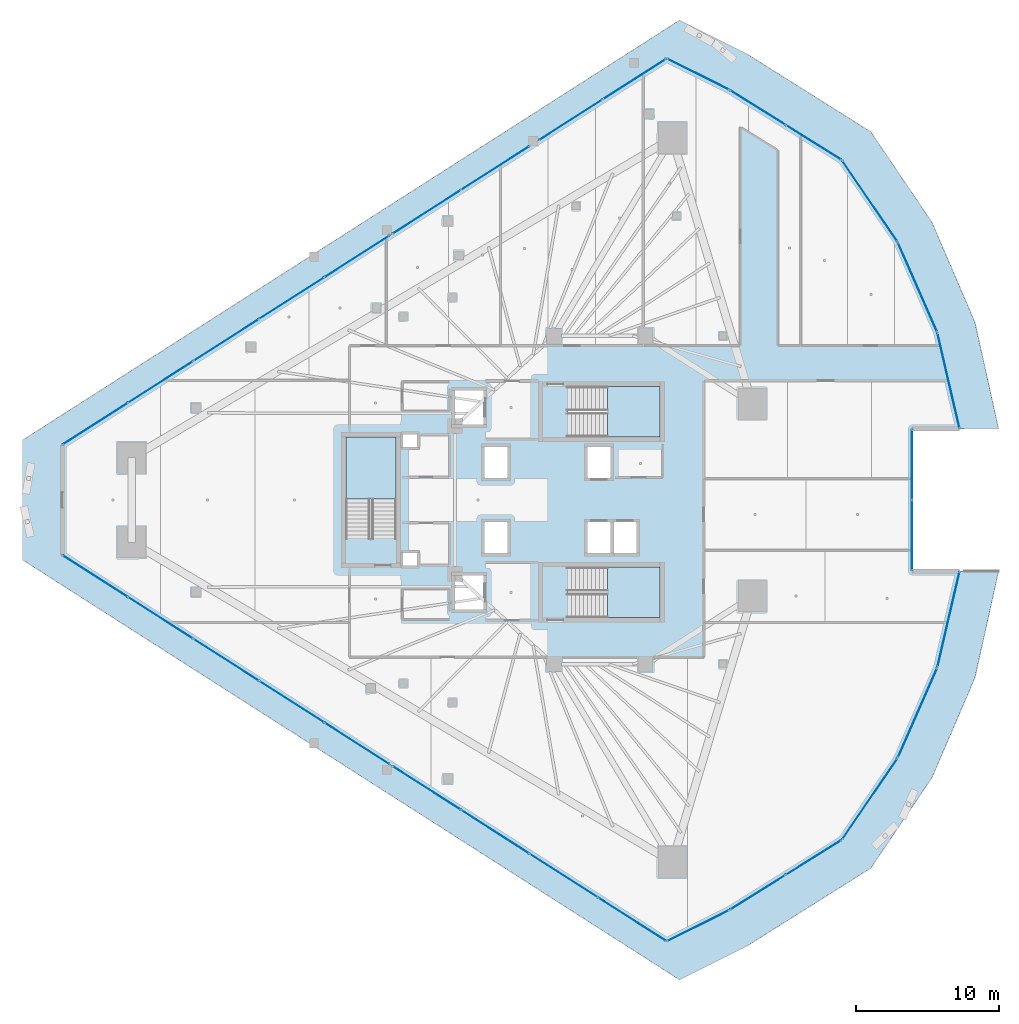
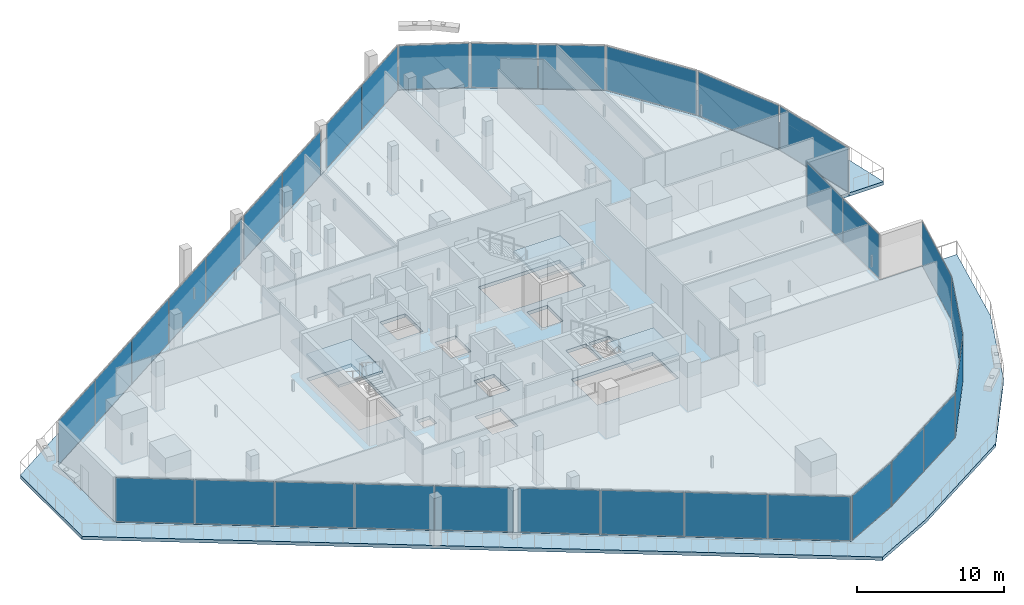
# One storey, part 26 of 42: 32 plates, 5 slabs, 19 elements without a shape of their own.
"""IFC4 building model written with IfcOpenShell, lengths in metres."""

from ifc_helpers import new_model, si_unit, direction, frame, origin, origin_2d, place, context, subcontext, project, spatial, polyline, rectangle, outline, extrude, material, layer, layer_set, type_object, element, aggregate, save


model = new_model("IFC4")

# Units and contexts
model_context = context("Model", 3, precision=1e-05, world=origin(), true_north=direction((0.0, 1.0)))
body_context = subcontext(model_context, "Body", "Model", "MODEL_VIEW")
ifc_project = project(units=[si_unit("LENGTHUNIT", "METRE"), si_unit("AREAUNIT", "SQUARE_METRE"), si_unit("VOLUMEUNIT", "CUBIC_METRE"), si_unit("PLANEANGLEUNIT", "RADIAN"), si_unit("MASSUNIT", "GRAM", prefix="KILO")], contexts=[model_context])

# Site, building, storey
site_placement = place(None, origin())
site = spatial("IfcSite", under=ifc_project, at=site_placement, CompositionType="ELEMENT")
building_placement = place(site_placement, origin())
building = spatial("IfcBuilding", under=site, at=building_placement, Name="Qorvath Tower", CompositionType="ELEMENT")
storey_placement = place(building_placement, frame((0.0, 0.0, 121.949951171875)))
storey = spatial("IfcBuildingStorey", under=building, at=storey_placement, Name="L27", CompositionType="ELEMENT", Elevation=121.949951171875)

# Curtain wall, plates
ifc_material_1 = material(Name="Anodised aluminium and triple low-E glass", Category="aluminium")
ifc_layer_1 = layer(ifc_material_1, 0.179931640625)
ifc_layer_set_1 = layer_set([ifc_layer_1], Name="CW-SYS-2")
curtain_wall_type = type_object("IfcCurtainWallType", Name="CW-SYS-2", PredefinedType="NOTDEFINED", material=ifc_layer_set_1)
curtain_wall_1_placement = place(storey_placement, origin())
curtain_wall_1 = element("IfcCurtainWall", 1, at=curtain_wall_1_placement, inside=storey, type_object=curtain_wall_type, Name="Curtain Wall CW-2 CW-T-L27-2.1", PredefinedType="NOTDEFINED")
ifc_material_2 = material(Name="Low-E triple insulated glass", Category="glass")
ifc_layer_2 = layer(ifc_material_2, 0.031982421875)
ifc_layer_set_2 = layer_set([ifc_layer_2], Name="CWP-GLZ-32")
plate_type = type_object("IfcPlateType", Name="CWP-GLZ-32", PredefinedType="CURTAIN_PANEL", material=ifc_layer_set_2)
plate_1_placement = place(storey_placement, frame((-55.589599609375, -5.318359375, 0.06494140625), z_axis=(0.0, 0.0, 1.0), x_axis=(0.842603667285, -0.538534177075, 0.0)))
plate_1 = element("IfcPlate", 2, at=plate_1_placement, type_object=plate_type, Name="CW-2 panel 1.1", PredefinedType="CURTAIN_PANEL", context=body_context, shape_type="SweptSolid", body=[
    extrude(rectangle(XDim=5.32861328125, YDim=0.031982421875, at=origin_2d()), origin(), (0.0, 0.0, 1.0), 3.639892578125),
])
plate_2_placement = place(storey_placement, frame((-51.03125, -8.231689453125, 0.06494140625), z_axis=(0.0, 0.0, 1.0), x_axis=(0.842603667285, -0.538534177075, 0.0)))
plate_2 = element("IfcPlate", 3, at=plate_2_placement, type_object=plate_type, Name="CW-2 panel 2.1", PredefinedType="CURTAIN_PANEL", context=body_context, shape_type="SweptSolid", body=[
    extrude(rectangle(XDim=5.361083984375, YDim=0.031982421875, at=origin_2d()), origin(), (0.0, 0.0, 1.0), 3.639892578125),
])
plate_3_placement = place(storey_placement, frame((-46.459228515625, -11.15380859375, 0.06494140625), z_axis=(0.0, 0.0, 1.0), x_axis=(0.842603667285, -0.538534177075, 0.0)))
plate_3 = element("IfcPlate", 4, at=plate_3_placement, type_object=plate_type, Name="CW-2 panel 3.1", PredefinedType="CURTAIN_PANEL", context=body_context, shape_type="SweptSolid", body=[
    extrude(rectangle(XDim=5.361083984375, YDim=0.031982421875, at=origin_2d()), origin(), (0.0, 0.0, 1.0), 3.639892578125),
])
plate_4_placement = place(storey_placement, frame((-41.88720703125, -14.075927734375, 0.06494140625), z_axis=(0.0, 0.0, 1.0), x_axis=(0.842603667285, -0.538534177075, 0.0)))
plate_4 = element("IfcPlate", 5, at=plate_4_placement, type_object=plate_type, Name="CW-2 panel 4.1", PredefinedType="CURTAIN_PANEL", context=body_context, shape_type="SweptSolid", body=[
    extrude(rectangle(XDim=5.361083984375, YDim=0.031982421875, at=origin_2d()), origin(), (0.0, 0.0, 1.0), 3.639892578125),
])
plate_5_placement = place(storey_placement, frame((-37.328857421875, -16.989501953125, 0.06494140625), z_axis=(0.0, 0.0, 1.0), x_axis=(0.842603667285, -0.538534177075, 0.0)))
plate_5 = element("IfcPlate", 6, at=plate_5_placement, type_object=plate_type, Name="CW-2 panel 5.1", PredefinedType="CURTAIN_PANEL", context=body_context, shape_type="SweptSolid", body=[
    extrude(rectangle(XDim=5.32861328125, YDim=0.031982421875, at=origin_2d()), origin(), (0.0, 0.0, 1.0), 3.639892578125),
])
aggregate(curtain_wall_1, [plate_1, plate_2, plate_3, plate_4, plate_5])

curtain_wall_2_placement = place(storey_placement, origin())
curtain_wall_2 = element("IfcCurtainWall", 7, at=curtain_wall_2_placement, inside=storey, type_object=curtain_wall_type, Name="Curtain Wall CW-2 CW-T-L27-2.2", PredefinedType="NOTDEFINED")
plate_6_placement = place(storey_placement, frame((-32.474853515625, -20.091796875, 0.06494140625), z_axis=(0.0, 0.0, 1.0), x_axis=(0.84260239638, -0.538536165559, 0.0)))
plate_6 = element("IfcPlate", 8, at=plate_6_placement, type_object=plate_type, Name="CW-2 panel 1.1", PredefinedType="CURTAIN_PANEL", context=body_context, shape_type="SweptSolid", body=[
    extrude(rectangle(XDim=5.582763671875, YDim=0.031982421875, at=origin_2d()), origin(), (0.0, 0.0, 1.0), 3.639892578125),
])
plate_7_placement = place(storey_placement, frame((-27.702392578125, -23.14208984375, 0.06494140625), z_axis=(0.0, 0.0, 1.0), x_axis=(0.84260239638, -0.538536165559, 0.0)))
plate_7 = element("IfcPlate", 9, at=plate_7_placement, type_object=plate_type, Name="CW-2 panel 2.1", PredefinedType="CURTAIN_PANEL", context=body_context, shape_type="SweptSolid", body=[
    extrude(rectangle(XDim=5.615234375, YDim=0.031982421875, at=origin_2d()), origin(), (0.0, 0.0, 1.0), 3.639892578125),
])
plate_8_placement = place(storey_placement, frame((-22.916015625, -26.201171875, 0.06494140625), z_axis=(0.0, 0.0, 1.0), x_axis=(0.84260239638, -0.538536165559, 0.0)))
plate_8 = element("IfcPlate", 10, at=plate_8_placement, type_object=plate_type, Name="CW-2 panel 3.1", PredefinedType="CURTAIN_PANEL", context=body_context, shape_type="SweptSolid", body=[
    extrude(rectangle(XDim=5.615234375, YDim=0.031982421875, at=origin_2d()), origin(), (0.0, 0.0, 1.0), 3.639892578125),
])
plate_9_placement = place(storey_placement, frame((-18.1435546875, -29.251220703125, 0.06494140625), z_axis=(0.0, 0.0, 1.0), x_axis=(0.84260239638, -0.538536165559, 0.0)))
plate_9 = element("IfcPlate", 11, at=plate_9_placement, type_object=plate_type, Name="CW-2 panel 4.1", PredefinedType="CURTAIN_PANEL", context=body_context, shape_type="SweptSolid", body=[
    extrude(rectangle(XDim=5.582763671875, YDim=0.031982421875, at=origin_2d()), origin(), (0.0, 0.0, 1.0), 3.639892578125),
])
aggregate(curtain_wall_2, [plate_6, plate_7, plate_8, plate_9])

# Curtain wall, plate
curtain_wall_3_placement = place(storey_placement, origin())
curtain_wall_3 = element("IfcCurtainWall", 12, at=curtain_wall_3_placement, inside=storey, type_object=curtain_wall_type, Name="Curtain Wall CW-2 CW-T-L27-3.1", PredefinedType="NOTDEFINED")
plate_10_placement = place(storey_placement, frame((-13.53759765625, -29.68994140625, 0.06494140625), z_axis=(0.0, 0.0, 1.0), x_axis=(0.894402787992, 0.447262398188, 0.0)))
plate_10 = element("IfcPlate", 13, at=plate_10_placement, type_object=plate_type, Name="CW-2 panel 1.1", PredefinedType="CURTAIN_PANEL", context=body_context, shape_type="SweptSolid", body=[
    extrude(rectangle(XDim=4.78759765625, YDim=0.031982421875, at=origin_2d()), origin(), (0.0, 0.0, 1.0), 3.639892578125),
])
aggregate(curtain_wall_3, [plate_10])

# Curtain wall, plates
curtain_wall_4_placement = place(storey_placement, origin())
curtain_wall_4 = element("IfcCurtainWall", 14, at=curtain_wall_4_placement, inside=storey, type_object=curtain_wall_type, Name="Curtain Wall CW-2 CW-T-L27-4.1", PredefinedType="NOTDEFINED")
plate_11_placement = place(storey_placement, frame((-9.370361328125, -27.361572265625, 0.06494140625), z_axis=(0.0, 0.0, 1.0), x_axis=(0.84830786263, 0.529503324069, 0.0)))
plate_11 = element("IfcPlate", 15, at=plate_11_placement, type_object=plate_type, Name="CW-2 panel 1.1", PredefinedType="CURTAIN_PANEL", context=body_context, shape_type="SweptSolid", body=[
    extrude(rectangle(XDim=4.510009765625, YDim=0.031982421875, at=origin_2d()), origin(), (0.0, 0.0, 1.0), 3.639892578125),
])
plate_12_placement = place(storey_placement, frame((-5.4892578125, -24.939208984375, 0.06494140625), z_axis=(0.0, 0.0, 1.0), x_axis=(0.84830786263, 0.529503324069, 0.0)))
plate_12 = element("IfcPlate", 16, at=plate_12_placement, type_object=plate_type, Name="CW-2 panel 2.1", PredefinedType="CURTAIN_PANEL", context=body_context, shape_type="SweptSolid", body=[
    extrude(rectangle(XDim=4.510009765625, YDim=0.031982421875, at=origin_2d()), origin(), (0.0, 0.0, 1.0), 3.639892578125),
])
aggregate(curtain_wall_4, [plate_11, plate_12])

# Curtain wall, plate
curtain_wall_5_placement = place(storey_placement, origin())
curtain_wall_5 = element("IfcCurtainWall", 17, at=curtain_wall_5_placement, inside=storey, type_object=curtain_wall_type, Name="Curtain Wall CW-2 CW-T-L27-5.1", PredefinedType="NOTDEFINED")
plate_13_placement = place(storey_placement, frame((-1.574462890625, -20.861572265625, 0.06494140625), z_axis=(0.0, 0.0, 1.0), x_axis=(0.564163835208, 0.825662865244, 0.0)))
plate_13 = element("IfcPlate", 18, at=plate_13_placement, type_object=plate_type, Name="CW-2 panel 1.1", PredefinedType="CURTAIN_PANEL", context=body_context, shape_type="SweptSolid", body=[
    extrude(rectangle(XDim=6.771484375, YDim=0.031982421875, at=origin_2d()), origin(), (0.0, 0.0, 1.0), 3.639892578125),
])
aggregate(curtain_wall_5, [plate_13])

curtain_wall_6_placement = place(storey_placement, origin())
curtain_wall_6 = element("IfcCurtainWall", 19, at=curtain_wall_6_placement, inside=storey, type_object=curtain_wall_type, Name="Curtain Wall CW-2 CW-T-L27-6.1", PredefinedType="NOTDEFINED")
plate_14_placement = place(storey_placement, frame((1.75830078125, -14.852294921875, 0.06494140625), z_axis=(0.0, 0.0, 1.0), x_axis=(0.401648703602, 0.915793818987, 0.0)))
plate_14 = element("IfcPlate", 20, at=plate_14_placement, type_object=plate_type, Name="CW-2 panel 1.1", PredefinedType="CURTAIN_PANEL", context=body_context, shape_type="SweptSolid", body=[
    extrude(rectangle(XDim=6.771484375, YDim=0.031982421875, at=origin_2d()), origin(), (0.0, 0.0, 1.0), 3.639892578125),
])
aggregate(curtain_wall_6, [plate_14])

curtain_wall_7_placement = place(storey_placement, origin())
curtain_wall_7 = element("IfcCurtainWall", 21, at=curtain_wall_7_placement, inside=storey, type_object=curtain_wall_type, Name="Curtain Wall CW-2 CW-T-L27-7.1", PredefinedType="NOTDEFINED")
plate_15_placement = place(storey_placement, frame((3.921630859375, -8.330078125, 0.06494140625), z_axis=(0.0, 0.0, 1.0), x_axis=(0.225270080166, 0.974296356855, 0.0)))
plate_15 = element("IfcPlate", 22, at=plate_15_placement, type_object=plate_type, Name="CW-2 panel 1.1", PredefinedType="CURTAIN_PANEL", context=body_context, shape_type="SweptSolid", body=[
    extrude(rectangle(XDim=6.771484375, YDim=0.031982421875, at=origin_2d()), origin(), (0.0, 0.0, 1.0), 3.639892578125),
])
aggregate(curtain_wall_7, [plate_15])

# Curtain wall, plates
curtain_wall_8_placement = place(storey_placement, origin())
curtain_wall_8 = element("IfcCurtainWall", 23, at=curtain_wall_8_placement, inside=storey, type_object=curtain_wall_type, Name="Curtain Wall CW-2 CW-T-L27-9.1", PredefinedType="NOTDEFINED")
plate_16_placement = place(storey_placement, frame((1.386962890625, -2.4677734375, 0.06494140625), z_axis=(0.0, 0.0, 1.0), x_axis=(0.0, 1.0, 0.0)))
plate_16 = element("IfcPlate", 24, at=plate_16_placement, type_object=plate_type, Name="CW-2 panel 1.1", PredefinedType="CURTAIN_PANEL", context=body_context, shape_type="SweptSolid", body=[
    extrude(rectangle(XDim=4.87060546875, YDim=0.031982421875, at=origin_2d()), origin(), (0.0, 0.0, 1.0), 3.639892578125),
])
plate_17_placement = place(storey_placement, frame((1.386962890625, 2.4677734375, 0.06494140625), z_axis=(0.0, 0.0, 1.0), x_axis=(0.0, 1.0, 0.0)))
plate_17 = element("IfcPlate", 25, at=plate_17_placement, type_object=plate_type, Name="CW-2 panel 2.1", PredefinedType="CURTAIN_PANEL", context=body_context, shape_type="SweptSolid", body=[
    extrude(rectangle(XDim=4.87060546875, YDim=0.031982421875, at=origin_2d()), origin(), (0.0, 0.0, 1.0), 3.639892578125),
])
aggregate(curtain_wall_8, [plate_16, plate_17])

# Curtain wall, plate
curtain_wall_9_placement = place(storey_placement, origin())
curtain_wall_9 = element("IfcCurtainWall", 26, at=curtain_wall_9_placement, inside=storey, type_object=curtain_wall_type, Name="Curtain Wall CW-2 CW-T-L27-11.1", PredefinedType="NOTDEFINED")
plate_18_placement = place(storey_placement, frame((3.921630859375, 8.330078125, 0.06494140625), z_axis=(0.0, 0.0, 1.0), x_axis=(-0.225270080166, 0.974296356855, 0.0)))
plate_18 = element("IfcPlate", 27, at=plate_18_placement, type_object=plate_type, Name="CW-2 panel 1.1", PredefinedType="CURTAIN_PANEL", context=body_context, shape_type="SweptSolid", body=[
    extrude(rectangle(XDim=6.771484375, YDim=0.031982421875, at=origin_2d()), origin(), (0.0, 0.0, 1.0), 3.639892578125),
])
aggregate(curtain_wall_9, [plate_18])

curtain_wall_10_placement = place(storey_placement, origin())
curtain_wall_10 = element("IfcCurtainWall", 28, at=curtain_wall_10_placement, inside=storey, type_object=curtain_wall_type, Name="Curtain Wall CW-2 CW-T-L27-12.1", PredefinedType="NOTDEFINED")
plate_19_placement = place(storey_placement, frame((1.75830078125, 14.852294921875, 0.06494140625), z_axis=(0.0, 0.0, 1.0), x_axis=(-0.401648703602, 0.915793818987, 0.0)))
plate_19 = element("IfcPlate", 29, at=plate_19_placement, type_object=plate_type, Name="CW-2 panel 1.1", PredefinedType="CURTAIN_PANEL", context=body_context, shape_type="SweptSolid", body=[
    extrude(rectangle(XDim=6.771484375, YDim=0.031982421875, at=origin_2d()), origin(), (0.0, 0.0, 1.0), 3.639892578125),
])
aggregate(curtain_wall_10, [plate_19])

curtain_wall_11_placement = place(storey_placement, origin())
curtain_wall_11 = element("IfcCurtainWall", 30, at=curtain_wall_11_placement, inside=storey, type_object=curtain_wall_type, Name="Curtain Wall CW-2 CW-T-L27-13.1", PredefinedType="NOTDEFINED")
plate_20_placement = place(storey_placement, frame((-1.574462890625, 20.861572265625, 0.06494140625), z_axis=(0.0, 0.0, 1.0), x_axis=(-0.564163835208, 0.825662865244, 0.0)))
plate_20 = element("IfcPlate", 31, at=plate_20_placement, type_object=plate_type, Name="CW-2 panel 1.1", PredefinedType="CURTAIN_PANEL", context=body_context, shape_type="SweptSolid", body=[
    extrude(rectangle(XDim=6.771484375, YDim=0.031982421875, at=origin_2d()), origin(), (0.0, 0.0, 1.0), 3.639892578125),
])
aggregate(curtain_wall_11, [plate_20])

# Curtain wall, plates
curtain_wall_12_placement = place(storey_placement, origin())
curtain_wall_12 = element("IfcCurtainWall", 32, at=curtain_wall_12_placement, inside=storey, type_object=curtain_wall_type, Name="Curtain Wall CW-2 CW-T-L27-14.1", PredefinedType="NOTDEFINED")
plate_21_placement = place(storey_placement, frame((-5.4892578125, 24.939208984375, 0.06494140625), z_axis=(0.0, 0.0, 1.0), x_axis=(-0.84830786263, 0.529503324069, 0.0)))
plate_21 = element("IfcPlate", 33, at=plate_21_placement, type_object=plate_type, Name="CW-2 panel 1.1", PredefinedType="CURTAIN_PANEL", context=body_context, shape_type="SweptSolid", body=[
    extrude(rectangle(XDim=4.510009765625, YDim=0.031982421875, at=origin_2d()), origin(), (0.0, 0.0, 1.0), 3.639892578125),
])
plate_22_placement = place(storey_placement, frame((-9.370361328125, 27.361572265625, 0.06494140625), z_axis=(0.0, 0.0, 1.0), x_axis=(-0.84830786263, 0.529503324069, 0.0)))
plate_22 = element("IfcPlate", 34, at=plate_22_placement, type_object=plate_type, Name="CW-2 panel 2.1", PredefinedType="CURTAIN_PANEL", context=body_context, shape_type="SweptSolid", body=[
    extrude(rectangle(XDim=4.510009765625, YDim=0.031982421875, at=origin_2d()), origin(), (0.0, 0.0, 1.0), 3.639892578125),
])
aggregate(curtain_wall_12, [plate_21, plate_22])

# Curtain wall, plate
curtain_wall_13_placement = place(storey_placement, origin())
curtain_wall_13 = element("IfcCurtainWall", 35, at=curtain_wall_13_placement, inside=storey, type_object=curtain_wall_type, Name="Curtain Wall CW-2 CW-T-L27-15.1", PredefinedType="NOTDEFINED")
plate_23_placement = place(storey_placement, frame((-13.53759765625, 29.68994140625, 0.06494140625), z_axis=(0.0, 0.0, 1.0), x_axis=(-0.894402787992, 0.447262398188, 0.0)))
plate_23 = element("IfcPlate", 36, at=plate_23_placement, type_object=plate_type, Name="CW-2 panel 1.1", PredefinedType="CURTAIN_PANEL", context=body_context, shape_type="SweptSolid", body=[
    extrude(rectangle(XDim=4.78759765625, YDim=0.031982421875, at=origin_2d()), origin(), (0.0, 0.0, 1.0), 3.639892578125),
])
aggregate(curtain_wall_13, [plate_23])

# Curtain wall, plates
curtain_wall_14_placement = place(storey_placement, origin())
curtain_wall_14 = element("IfcCurtainWall", 37, at=curtain_wall_14_placement, inside=storey, type_object=curtain_wall_type, Name="Curtain Wall CW-2 CW-T-L27-16.1", PredefinedType="NOTDEFINED")
plate_24_placement = place(storey_placement, frame((-17.983154296875, 29.353759765625, 0.06494140625), z_axis=(0.0, 0.0, 1.0), x_axis=(-0.842594581481, -0.538548392681, 0.0)))
plate_24 = element("IfcPlate", 38, at=plate_24_placement, type_object=plate_type, Name="CW-2 panel 1.1", PredefinedType="CURTAIN_PANEL", context=body_context, shape_type="SweptSolid", body=[
    extrude(rectangle(XDim=5.201904296875, YDim=0.031982421875, at=origin_2d()), origin(), (0.0, 0.0, 1.0), 3.639892578125),
])
plate_25_placement = place(storey_placement, frame((-22.421142578125, 26.517333984375, 0.06494140625), z_axis=(0.0, 0.0, 1.0), x_axis=(-0.842594581481, -0.538548392681, 0.0)))
plate_25 = element("IfcPlate", 39, at=plate_25_placement, type_object=plate_type, Name="CW-2 panel 2.1", PredefinedType="CURTAIN_PANEL", context=body_context, shape_type="SweptSolid", body=[
    extrude(rectangle(XDim=5.201904296875, YDim=0.031982421875, at=origin_2d()), origin(), (0.0, 0.0, 1.0), 3.639892578125),
])
aggregate(curtain_wall_14, [plate_24, plate_25])

curtain_wall_15_placement = place(storey_placement, origin())
curtain_wall_15 = element("IfcCurtainWall", 40, at=curtain_wall_15_placement, inside=storey, type_object=curtain_wall_type, Name="Curtain Wall CW-2 CW-T-L27-16.2", PredefinedType="NOTDEFINED")
plate_26_placement = place(storey_placement, frame((-27.69580078125, 23.146240234375, 0.06494140625), z_axis=(0.0, 0.0, 1.0), x_axis=(-0.842606643442, -0.538529520478, 0.0)))
plate_26 = element("IfcPlate", 41, at=plate_26_placement, type_object=plate_type, Name="CW-2 panel 1.1", PredefinedType="CURTAIN_PANEL", context=body_context, shape_type="SweptSolid", body=[
    extrude(rectangle(XDim=5.5986328125, YDim=0.031982421875, at=origin_2d()), origin(), (0.0, 0.0, 1.0), 3.639892578125),
])
plate_27_placement = place(storey_placement, frame((-32.468017578125, 20.095947265625, 0.06494140625), z_axis=(0.0, 0.0, 1.0), x_axis=(-0.842606643442, -0.538529520478, 0.0)))
plate_27 = element("IfcPlate", 42, at=plate_27_placement, type_object=plate_type, Name="CW-2 panel 2.1", PredefinedType="CURTAIN_PANEL", context=body_context, shape_type="SweptSolid", body=[
    extrude(rectangle(XDim=5.5986328125, YDim=0.031982421875, at=origin_2d()), origin(), (0.0, 0.0, 1.0), 3.639892578125),
])
aggregate(curtain_wall_15, [plate_26, plate_27])

curtain_wall_16_placement = place(storey_placement, origin())
curtain_wall_16 = element("IfcCurtainWall", 43, at=curtain_wall_16_placement, inside=storey, type_object=curtain_wall_type, Name="Curtain Wall CW-2 CW-T-L27-16.3", PredefinedType="NOTDEFINED")
plate_28_placement = place(storey_placement, frame((-37.328857421875, 16.989501953125, 0.06494140625), z_axis=(0.0, 0.0, 1.0), x_axis=(-0.842603667285, -0.538534177075, 0.0)))
plate_28 = element("IfcPlate", 44, at=plate_28_placement, type_object=plate_type, Name="CW-2 panel 1.1", PredefinedType="CURTAIN_PANEL", context=body_context, shape_type="SweptSolid", body=[
    extrude(rectangle(XDim=5.32861328125, YDim=0.031982421875, at=origin_2d()), origin(), (0.0, 0.0, 1.0), 3.639892578125),
])
plate_29_placement = place(storey_placement, frame((-41.88720703125, 14.075927734375, 0.06494140625), z_axis=(0.0, 0.0, 1.0), x_axis=(-0.842603667285, -0.538534177075, 0.0)))
plate_29 = element("IfcPlate", 45, at=plate_29_placement, type_object=plate_type, Name="CW-2 panel 2.1", PredefinedType="CURTAIN_PANEL", context=body_context, shape_type="SweptSolid", body=[
    extrude(rectangle(XDim=5.361083984375, YDim=0.031982421875, at=origin_2d()), origin(), (0.0, 0.0, 1.0), 3.639892578125),
])
plate_30_placement = place(storey_placement, frame((-46.459228515625, 11.15380859375, 0.06494140625), z_axis=(0.0, 0.0, 1.0), x_axis=(-0.842603667285, -0.538534177075, 0.0)))
plate_30 = element("IfcPlate", 46, at=plate_30_placement, type_object=plate_type, Name="CW-2 panel 3.1", PredefinedType="CURTAIN_PANEL", context=body_context, shape_type="SweptSolid", body=[
    extrude(rectangle(XDim=5.361083984375, YDim=0.031982421875, at=origin_2d()), origin(), (0.0, 0.0, 1.0), 3.639892578125),
])
plate_31_placement = place(storey_placement, frame((-51.03125, 8.231689453125, 0.06494140625), z_axis=(0.0, 0.0, 1.0), x_axis=(-0.842603667285, -0.538534177075, 0.0)))
plate_31 = element("IfcPlate", 47, at=plate_31_placement, type_object=plate_type, Name="CW-2 panel 4.1", PredefinedType="CURTAIN_PANEL", context=body_context, shape_type="SweptSolid", body=[
    extrude(rectangle(XDim=5.361083984375, YDim=0.031982421875, at=origin_2d()), origin(), (0.0, 0.0, 1.0), 3.639892578125),
])
plate_32_placement = place(storey_placement, frame((-55.589599609375, 5.318359375, 0.06494140625), z_axis=(0.0, 0.0, 1.0), x_axis=(-0.842603667285, -0.538534177075, 0.0)))
plate_32 = element("IfcPlate", 48, at=plate_32_placement, type_object=plate_type, Name="CW-2 panel 5.1", PredefinedType="CURTAIN_PANEL", context=body_context, shape_type="SweptSolid", body=[
    extrude(rectangle(XDim=5.32861328125, YDim=0.031982421875, at=origin_2d()), origin(), (0.0, 0.0, 1.0), 3.639892578125),
])
aggregate(curtain_wall_16, [plate_28, plate_29, plate_30, plate_31, plate_32])

# Stair, slab
ifc_material_3 = material(Name="Concrete C50/60", Category="concrete")
stair_type = type_object("IfcStairType", Name="ST-H405", PredefinedType="HALF_TURN_STAIR", material=ifc_material_3)
stair_1_placement = place(storey_placement, origin())
stair_1 = element("IfcStair", 49, at=stair_1_placement, inside=storey, type_object=stair_type, Name="L27 Tower Exit Stair 1", PredefinedType="HALF_TURN_STAIR")
ifc_material_4 = material(Name="Concrete C50/60", Category="concrete")
ifc_layer_3 = layer(ifc_material_4, 0.199951171875)
ifc_layer_set_3 = layer_set([ifc_layer_3], Name="SL-LND-200")
slab_type_1 = type_object("IfcSlabType", Name="SL-LND-200", PredefinedType="LANDING", material=ifc_layer_set_3)
slab_1_placement = place(storey_placement, frame((0.0, 0.0, 1.824951171875)))
slab_1 = element("IfcSlab", 50, at=slab_1_placement, type_object=slab_type_1, Name="TS1 landing 1", PredefinedType="LANDING", context=body_context, shape_type="SweptSolid", body=[
    extrude(outline(polyline([(-19.8701171875, 4.39990234375), (-16.199951171875, 4.39990234375), (-16.199951171875, 7.909912109375), (-19.8701171875, 7.909912109375), (-19.8701171875, 4.39990234375)])), origin(), (0.0, 0.0, 1.0), 0.2001953125),
])
aggregate(stair_1, [slab_1])

stair_2_placement = place(storey_placement, origin())
stair_2 = element("IfcStair", 51, at=stair_2_placement, inside=storey, type_object=stair_type, Name="L27 Tower Exit Stair 2", PredefinedType="HALF_TURN_STAIR")
slab_2_placement = place(storey_placement, frame((0.0, 0.0, 1.824951171875)))
slab_2 = element("IfcSlab", 52, at=slab_2_placement, type_object=slab_type_1, Name="TS2 landing 1", PredefinedType="LANDING", context=body_context, shape_type="SweptSolid", body=[
    extrude(outline(polyline([(-19.8701171875, -8.199951171875), (-16.199951171875, -8.199951171875), (-16.199951171875, -4.68994140625), (-19.8701171875, -4.68994140625), (-19.8701171875, -8.199951171875)])), origin(), (0.0, 0.0, 1.0), 0.2001953125),
])
aggregate(stair_2, [slab_2])

stair_3_placement = place(storey_placement, origin())
stair_3 = element("IfcStair", 53, at=stair_3_placement, inside=storey, type_object=stair_type, Name="L27 Tower Exit Stair 3", PredefinedType="HALF_TURN_STAIR")
slab_3_placement = place(storey_placement, frame((0.0, 0.0, 1.824951171875)))
slab_3 = element("IfcSlab", 54, at=slab_3_placement, type_object=slab_type_1, Name="TS3 landing 1", PredefinedType="LANDING", context=body_context, shape_type="SweptSolid", body=[
    extrude(outline(polyline([(-34.60009765625, 0.080078125), (-34.60009765625, 4.39990234375), (-38.110107421875, 4.39990234375), (-38.110107421875, 0.080078125), (-34.60009765625, 0.080078125)])), origin(), (0.0, 0.0, 1.0), 0.2001953125),
])
aggregate(stair_3, [slab_3])

# Slabs
ifc_material_5 = material(Name="Precast concrete C45/55", Category="concrete")
ifc_layer_4 = layer(ifc_material_5, 0.280029296875)
ifc_layer_set_4 = layer_set([ifc_layer_4], Name="SL-LOG-280")
slab_type_2 = type_object("IfcSlabType", Name="SL-LOG-280", PredefinedType="FLOOR", material=ifc_layer_set_4)
slab_4_placement = place(storey_placement, frame((0.0, 0.0, -0.280029296875)))
element("IfcSlab", 55, at=slab_4_placement, inside=storey, type_object=slab_type_2, Name="Tower L27 Perimeter Loggia and Terrace Slab", PredefinedType="FLOOR", context=body_context, shape_type="SweptSolid", body=[
    extrude(outline(polyline([(4.698974609375, -4.968017578125), (3.144287109375, -11.692138671875), (0.372314453125, -18.012451171875), (-3.521240234375, -23.710693359375), (-11.33837890625, -28.590087890625), (-15.73681640625, -30.78955078125), (-57.88916015625, -3.8486328125), (-57.88916015625, 3.8486328125), (-15.73681640625, 30.78955078125), (-11.33837890625, 28.590087890625), (-3.521240234375, 23.710693359375), (0.372314453125, 18.012451171875), (3.144287109375, 11.692138671875), (4.698974609375, 4.968017578125), (7.4150390625, 4.968017578125), (5.77099609375, 12.39599609375), (2.762451171875, 19.38330078125), (-1.504150390625, 25.681884765625), (-10.06787109375, 31.06787109375), (-14.847412109375, 33.457763671875), (-60.652587890625, 4.18212890625), (-60.652587890625, -4.18212890625), (-14.847412109375, -33.457763671875), (-10.06787109375, -31.06787109375), (-1.504150390625, -25.681884765625), (2.762451171875, -19.38330078125), (5.77099609375, -12.39599609375), (7.4150390625, -4.968017578125), (4.698974609375, -4.968017578125)])), origin(), (0.0, 0.0, 1.0), 0.280029296875),
])
ifc_material_6 = material(Name="Concrete C45/55", Category="concrete")
ifc_layer_5 = layer(ifc_material_6, 0.280029296875)
ifc_layer_set_5 = layer_set([ifc_layer_5], Name="SL-TYP-280")
slab_type_3 = type_object("IfcSlabType", Name="SL-TYP-280", PredefinedType="FLOOR", material=ifc_layer_set_5)
slab_5_placement = place(storey_placement, frame((0.0, 0.0, -0.280029296875)))
element("IfcSlab", 56, at=slab_5_placement, inside=storey, type_object=slab_type_3, Name="Tower L27 Interior Floor Slab", PredefinedType="FLOOR", context=body_context, shape_type="SweptSolid", body=[
    extrude(outline(polyline([(-57.88916015625, 3.8486328125), (-57.88916015625, -3.8486328125), (-15.73681640625, -30.78955078125), (-11.33837890625, -28.590087890625), (-3.521240234375, -23.710693359375), (0.372314453125, -18.012451171875), (3.144287109375, -11.692138671875), (4.698974609375, -4.968017578125), (1.386962890625, -4.968017578125), (1.386962890625, 4.968017578125), (4.698974609375, 4.968017578125), (3.144287109375, 11.692138671875), (0.372314453125, 18.012451171875), (-3.521240234375, 23.710693359375), (-11.33837890625, 28.590087890625), (-15.73681640625, 30.78955078125), (-57.88916015625, 3.8486328125)]), holes=[polyline([(-16.2451171875, -8.199951171875), (-22.625, -8.199951171875), (-22.625, -4.68994140625), (-16.2451171875, -4.68994140625), (-16.2451171875, -8.199951171875)]), polyline([(-22.625, 4.39990234375), (-22.625, 7.909912109375), (-16.2451171875, 7.909912109375), (-16.2451171875, 4.39990234375), (-22.625, 4.39990234375)]), polyline([(-17.85009765625, -3.699951171875), (-19.449951171875, -3.699951171875), (-19.449951171875, -1.550048828125), (-17.85009765625, -1.550048828125), (-17.85009765625, -3.699951171875)]), polyline([(-21.25, -3.699951171875), (-21.25, -1.550048828125), (-19.64990234375, -1.550048828125), (-19.64990234375, -3.699951171875), (-21.25, -3.699951171875)]), polyline([(-21.25, 1.550048828125), (-21.25, 3.699951171875), (-19.64990234375, 3.699951171875), (-19.64990234375, 1.550048828125), (-21.25, 1.550048828125)]), polyline([(-28.449951171875, -3.699951171875), (-28.449951171875, -1.550048828125), (-26.85009765625, -1.550048828125), (-26.85009765625, -3.699951171875), (-28.449951171875, -3.699951171875)]), polyline([(-26.85009765625, 1.550048828125), (-28.449951171875, 1.550048828125), (-28.449951171875, 3.699951171875), (-26.85009765625, 3.699951171875), (-26.85009765625, 1.550048828125)]), polyline([(-28.5, -7.64990234375), (-30.5, -7.64990234375), (-30.5, -5.25), (-28.5, -5.25), (-28.5, -7.64990234375)]), polyline([(-30.5, 5.25), (-30.5, 7.64990234375), (-28.5, 7.64990234375), (-28.5, 5.25), (-30.5, 5.25)]), polyline([(-34.14990234375, -4.6201171875), (-34.14990234375, -3.64990234375), (-33.10009765625, -3.64990234375), (-33.10009765625, -4.6201171875), (-34.14990234375, -4.6201171875)]), polyline([(-34.14990234375, 3.64990234375), (-34.14990234375, 4.6201171875), (-33.10009765625, 4.6201171875), (-33.10009765625, 3.64990234375), (-34.14990234375, 3.64990234375)]), polyline([(-34.60009765625, -2.675048828125), (-38.110107421875, -2.675048828125), (-38.110107421875, 4.35498046875), (-34.60009765625, 4.35498046875), (-34.60009765625, -2.675048828125)])]), origin(), (0.0, 0.0, 1.0), 0.280029296875),
])

save(model, "model.ifc")
